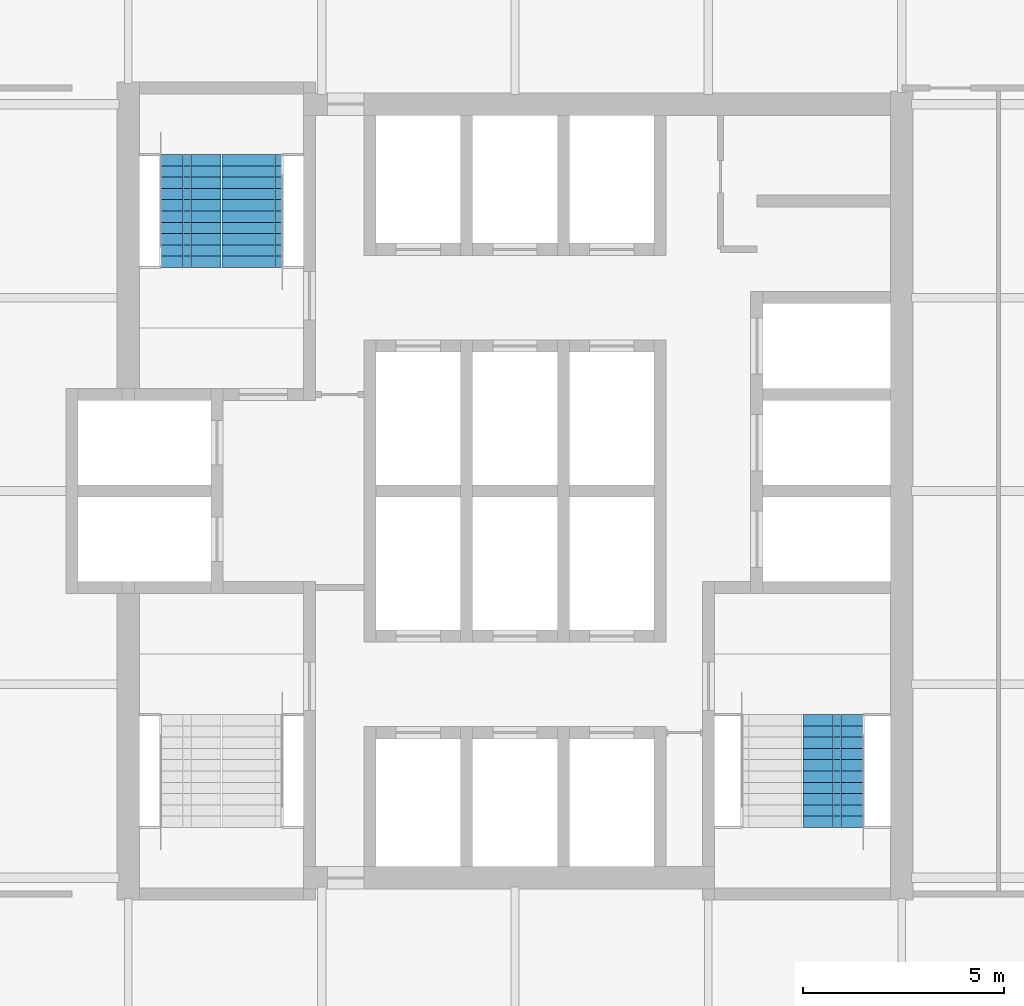
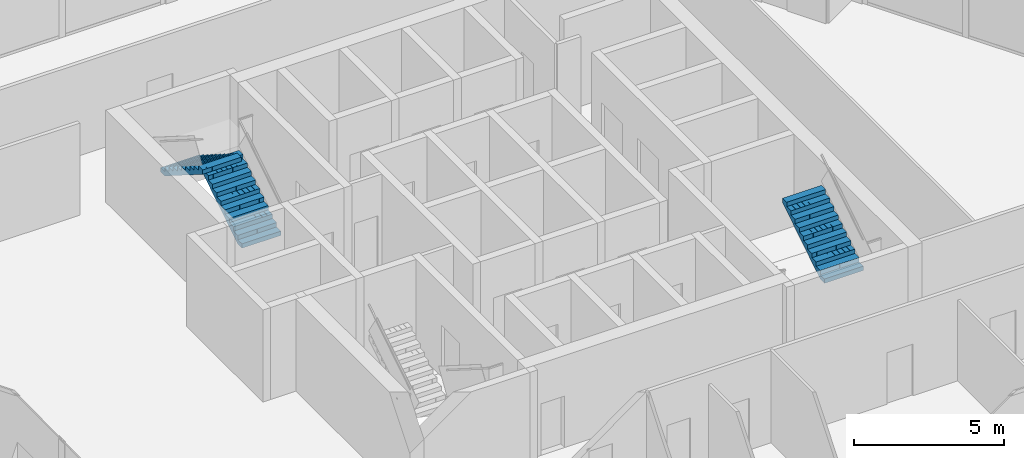
# One storey, part 11 of 13: 3 stair flights, 2 elements without a shape of their own.
"""IFC4 building model written with IfcOpenShell, lengths in metres."""

from ifc_helpers import new_model, si_unit, direction, frame, origin, place, context, subcontext, project, spatial, polyline, outline, extrude, material, type_object, element, aggregate, save


model = new_model("IFC4")

# Units and contexts
model_context = context("Model", 3, precision=1e-05, world=origin(), true_north=direction((0.0, 1.0)))
body_context = subcontext(model_context, "Body", "Model", "MODEL_VIEW")
ifc_project = project(units=[si_unit("LENGTHUNIT", "METRE"), si_unit("AREAUNIT", "SQUARE_METRE"), si_unit("VOLUMEUNIT", "CUBIC_METRE"), si_unit("PLANEANGLEUNIT", "RADIAN"), si_unit("MASSUNIT", "GRAM", prefix="KILO")], contexts=[model_context])

# Site, building, storey
site_placement = place(None, origin())
site = spatial("IfcSite", under=ifc_project, at=site_placement, CompositionType="ELEMENT")
building_placement = place(site_placement, origin())
building = spatial("IfcBuilding", under=site, at=building_placement, Name="Kolab Exchange Tower", CompositionType="ELEMENT")
storey_placement = place(building_placement, frame((0.0, 0.0, 273.5)))
storey = spatial("IfcBuildingStorey", under=building, at=storey_placement, Name="L61", CompositionType="ELEMENT", Elevation=273.5)

# Stair, stair flights
ifc_material = material(Name="Concrete C50/60", Category="concrete")
stair_type_1 = type_object("IfcStairType", Name="STAIR ST1 RISER 177.3", PredefinedType="HALF_TURN_STAIR", material=ifc_material)
stair_1_placement = place(storey_placement, origin())
stair_1 = element("IfcStair", 1, at=stair_1_placement, inside=storey, type_object=stair_type_1, Name="Stair 1", PredefinedType="HALF_TURN_STAIR")
stair_flight_type = type_object("IfcStairFlightType", Name="STAIR FLIGHT 1500 RISER 177.3", PredefinedType="STRAIGHT", material=ifc_material)
stair_flight_1_placement = place(storey_placement, frame((-6.527587890625, 5.550048828125, 0.0), z_axis=(0.0, 0.0, 1.0), x_axis=(0.0, 1.0, 0.0)))
stair_flight_1 = element("IfcStairFlight", 2, at=stair_flight_1_placement, type_object=stair_flight_type, Name="ST1 flight 1", NumberOfRisers=11, NumberOfTreads=10, PredefinedType="STRAIGHT", RiserHeight=0.177272727, TreadLength=0.28, context=body_context, shape_type="SweptSolid", body=[
    extrude(outline(polyline([(0.0, 0.0), (0.0, 0.17724609375), (0.280029296875, 0.17724609375), (0.280029296875, 0.3544921875), (0.56005859375, 0.3544921875), (0.56005859375, 0.53173828125), (0.840087890625, 0.53173828125), (0.840087890625, 0.708984375), (1.1201171875, 0.708984375), (1.1201171875, 0.886474609375), (1.39990234375, 0.886474609375), (1.39990234375, 1.063720703125), (1.679931640625, 1.063720703125), (1.679931640625, 1.240966796875), (1.9599609375, 1.240966796875), (1.9599609375, 1.418212890625), (2.239990234375, 1.418212890625), (2.239990234375, 1.595458984375), (2.52001953125, 1.595458984375), (2.52001953125, 1.772705078125), (2.800048828125, 1.772705078125), (2.800048828125, 1.949951171875), (2.800048828125, 1.59521484375), (0.2802734375, 0.0), (0.0, 0.0)])), frame((0.0, 0.75, 0.0), z_axis=(0.0, -1.0, 0.0), x_axis=(1.0, 0.0, 0.0)), (0.0, 0.0, 1.0), 0.185791015625),
    extrude(outline(polyline([(0.0, 0.0), (0.0, 0.17724609375), (0.280029296875, 0.17724609375), (0.280029296875, 0.3544921875), (0.56005859375, 0.3544921875), (0.56005859375, 0.53173828125), (0.840087890625, 0.53173828125), (0.840087890625, 0.708984375), (1.1201171875, 0.708984375), (1.1201171875, 0.886474609375), (1.39990234375, 0.886474609375), (1.39990234375, 1.063720703125), (1.679931640625, 1.063720703125), (1.679931640625, 1.240966796875), (1.9599609375, 1.240966796875), (1.9599609375, 1.418212890625), (2.239990234375, 1.418212890625), (2.239990234375, 1.595458984375), (2.52001953125, 1.595458984375), (2.52001953125, 1.772705078125), (2.800048828125, 1.772705078125), (2.800048828125, 1.949951171875), (2.800048828125, 1.59521484375), (0.2802734375, 0.0), (0.0, 0.0)])), frame((0.0, 0.562255859375, 0.0), z_axis=(0.0, -1.0, 0.0), x_axis=(1.0, 0.0, 0.0)), (0.0, 0.0, 1.0), 0.185791015625),
    extrude(outline(polyline([(0.0, 0.0), (0.0, 0.17724609375), (0.280029296875, 0.17724609375), (0.280029296875, 0.3544921875), (0.56005859375, 0.3544921875), (0.56005859375, 0.53173828125), (0.840087890625, 0.53173828125), (0.840087890625, 0.708984375), (1.1201171875, 0.708984375), (1.1201171875, 0.886474609375), (1.39990234375, 0.886474609375), (1.39990234375, 1.063720703125), (1.679931640625, 1.063720703125), (1.679931640625, 1.240966796875), (1.9599609375, 1.240966796875), (1.9599609375, 1.418212890625), (2.239990234375, 1.418212890625), (2.239990234375, 1.595458984375), (2.52001953125, 1.595458984375), (2.52001953125, 1.772705078125), (2.800048828125, 1.772705078125), (2.800048828125, 1.949951171875), (2.800048828125, 1.59521484375), (0.2802734375, 0.0), (0.0, 0.0)])), frame((0.0, 0.37451171875, 0.0), z_axis=(0.0, -1.0, 0.0), x_axis=(1.0, 0.0, 0.0)), (0.0, 0.0, 1.0), 0.185791015625),
    extrude(outline(polyline([(0.0, 0.0), (0.0, 0.17724609375), (0.280029296875, 0.17724609375), (0.280029296875, 0.3544921875), (0.56005859375, 0.3544921875), (0.56005859375, 0.53173828125), (0.840087890625, 0.53173828125), (0.840087890625, 0.708984375), (1.1201171875, 0.708984375), (1.1201171875, 0.886474609375), (1.39990234375, 0.886474609375), (1.39990234375, 1.063720703125), (1.679931640625, 1.063720703125), (1.679931640625, 1.240966796875), (1.9599609375, 1.240966796875), (1.9599609375, 1.418212890625), (2.239990234375, 1.418212890625), (2.239990234375, 1.595458984375), (2.52001953125, 1.595458984375), (2.52001953125, 1.772705078125), (2.800048828125, 1.772705078125), (2.800048828125, 1.949951171875), (2.800048828125, 1.59521484375), (0.2802734375, 0.0), (0.0, 0.0)])), frame((0.0, 0.186767578125, 0.0), z_axis=(0.0, -1.0, 0.0), x_axis=(1.0, 0.0, 0.0)), (0.0, 0.0, 1.0), 0.185791015625),
    extrude(outline(polyline([(0.0, 0.0), (0.0, 0.17724609375), (0.280029296875, 0.17724609375), (0.280029296875, 0.3544921875), (0.56005859375, 0.3544921875), (0.56005859375, 0.53173828125), (0.840087890625, 0.53173828125), (0.840087890625, 0.708984375), (1.1201171875, 0.708984375), (1.1201171875, 0.886474609375), (1.39990234375, 0.886474609375), (1.39990234375, 1.063720703125), (1.679931640625, 1.063720703125), (1.679931640625, 1.240966796875), (1.9599609375, 1.240966796875), (1.9599609375, 1.418212890625), (2.239990234375, 1.418212890625), (2.239990234375, 1.595458984375), (2.52001953125, 1.595458984375), (2.52001953125, 1.772705078125), (2.800048828125, 1.772705078125), (2.800048828125, 1.949951171875), (2.800048828125, 1.59521484375), (0.2802734375, 0.0), (0.0, 0.0)])), frame((0.0, -0.0009765625, 0.0), z_axis=(0.0, -1.0, 0.0), x_axis=(1.0, 0.0, 0.0)), (0.0, 0.0, 1.0), 0.185791015625),
    extrude(outline(polyline([(0.0, 0.0), (0.0, 0.17724609375), (0.280029296875, 0.17724609375), (0.280029296875, 0.3544921875), (0.56005859375, 0.3544921875), (0.56005859375, 0.53173828125), (0.840087890625, 0.53173828125), (0.840087890625, 0.708984375), (1.1201171875, 0.708984375), (1.1201171875, 0.886474609375), (1.39990234375, 0.886474609375), (1.39990234375, 1.063720703125), (1.679931640625, 1.063720703125), (1.679931640625, 1.240966796875), (1.9599609375, 1.240966796875), (1.9599609375, 1.418212890625), (2.239990234375, 1.418212890625), (2.239990234375, 1.595458984375), (2.52001953125, 1.595458984375), (2.52001953125, 1.772705078125), (2.800048828125, 1.772705078125), (2.800048828125, 1.949951171875), (2.800048828125, 1.59521484375), (0.2802734375, 0.0), (0.0, 0.0)])), frame((0.0, -0.188720703125, 0.0), z_axis=(0.0, -1.0, 0.0), x_axis=(1.0, 0.0, 0.0)), (0.0, 0.0, 1.0), 0.185791015625),
    extrude(outline(polyline([(0.0, 0.0), (0.0, 0.17724609375), (0.280029296875, 0.17724609375), (0.280029296875, 0.3544921875), (0.56005859375, 0.3544921875), (0.56005859375, 0.53173828125), (0.840087890625, 0.53173828125), (0.840087890625, 0.708984375), (1.1201171875, 0.708984375), (1.1201171875, 0.886474609375), (1.39990234375, 0.886474609375), (1.39990234375, 1.063720703125), (1.679931640625, 1.063720703125), (1.679931640625, 1.240966796875), (1.9599609375, 1.240966796875), (1.9599609375, 1.418212890625), (2.239990234375, 1.418212890625), (2.239990234375, 1.595458984375), (2.52001953125, 1.595458984375), (2.52001953125, 1.772705078125), (2.800048828125, 1.772705078125), (2.800048828125, 1.949951171875), (2.800048828125, 1.59521484375), (0.2802734375, 0.0), (0.0, 0.0)])), frame((0.0, -0.37646484375, 0.0), z_axis=(0.0, -1.0, 0.0), x_axis=(1.0, 0.0, 0.0)), (0.0, 0.0, 1.0), 0.185791015625),
    extrude(outline(polyline([(0.0, 0.0), (0.0, 0.17724609375), (0.280029296875, 0.17724609375), (0.280029296875, 0.3544921875), (0.56005859375, 0.3544921875), (0.56005859375, 0.53173828125), (0.840087890625, 0.53173828125), (0.840087890625, 0.708984375), (1.1201171875, 0.708984375), (1.1201171875, 0.886474609375), (1.39990234375, 0.886474609375), (1.39990234375, 1.063720703125), (1.679931640625, 1.063720703125), (1.679931640625, 1.240966796875), (1.9599609375, 1.240966796875), (1.9599609375, 1.418212890625), (2.239990234375, 1.418212890625), (2.239990234375, 1.595458984375), (2.52001953125, 1.595458984375), (2.52001953125, 1.772705078125), (2.800048828125, 1.772705078125), (2.800048828125, 1.949951171875), (2.800048828125, 1.59521484375), (0.2802734375, 0.0), (0.0, 0.0)])), frame((0.0, -0.564208984375, 0.0), z_axis=(0.0, -1.0, 0.0), x_axis=(1.0, 0.0, 0.0)), (0.0, 0.0, 1.0), 0.185791015625),
])
stair_flight_2_placement = place(storey_placement, frame((-8.047607421875, 8.35009765625, 1.949951171875), z_axis=(0.0, 0.0, 1.0), x_axis=(0.0, -1.0, 0.0)))
stair_flight_2 = element("IfcStairFlight", 3, at=stair_flight_2_placement, type_object=stair_flight_type, Name="ST1 flight 2", NumberOfRisers=11, NumberOfTreads=10, PredefinedType="STRAIGHT", RiserHeight=0.177272727, TreadLength=0.28, context=body_context, shape_type="SweptSolid", body=[
    extrude(outline(polyline([(0.0, 0.0), (0.0, 0.17724609375), (0.280029296875, 0.17724609375), (0.280029296875, 0.3544921875), (0.56005859375, 0.3544921875), (0.56005859375, 0.53173828125), (0.840087890625, 0.53173828125), (0.840087890625, 0.708984375), (1.1201171875, 0.708984375), (1.1201171875, 0.886474609375), (1.39990234375, 0.886474609375), (1.39990234375, 1.063720703125), (1.679931640625, 1.063720703125), (1.679931640625, 1.240966796875), (1.9599609375, 1.240966796875), (1.9599609375, 1.418212890625), (2.239990234375, 1.418212890625), (2.239990234375, 1.595458984375), (2.52001953125, 1.595458984375), (2.52001953125, 1.772705078125), (2.800048828125, 1.772705078125), (2.800048828125, 1.949951171875), (2.800048828125, 1.59521484375), (0.2802734375, 0.0), (0.0, 0.0)])), frame((0.0, 0.75, 0.0), z_axis=(0.0, -1.0, 0.0), x_axis=(1.0, 0.0, 0.0)), (0.0, 0.0, 1.0), 0.185791015625),
    extrude(outline(polyline([(0.0, 0.0), (0.0, 0.17724609375), (0.280029296875, 0.17724609375), (0.280029296875, 0.3544921875), (0.56005859375, 0.3544921875), (0.56005859375, 0.53173828125), (0.840087890625, 0.53173828125), (0.840087890625, 0.708984375), (1.1201171875, 0.708984375), (1.1201171875, 0.886474609375), (1.39990234375, 0.886474609375), (1.39990234375, 1.063720703125), (1.679931640625, 1.063720703125), (1.679931640625, 1.240966796875), (1.9599609375, 1.240966796875), (1.9599609375, 1.418212890625), (2.239990234375, 1.418212890625), (2.239990234375, 1.595458984375), (2.52001953125, 1.595458984375), (2.52001953125, 1.772705078125), (2.800048828125, 1.772705078125), (2.800048828125, 1.949951171875), (2.800048828125, 1.59521484375), (0.2802734375, 0.0), (0.0, 0.0)])), frame((0.0, 0.562255859375, 0.0), z_axis=(0.0, -1.0, 0.0), x_axis=(1.0, 0.0, 0.0)), (0.0, 0.0, 1.0), 0.185791015625),
    extrude(outline(polyline([(0.0, 0.0), (0.0, 0.17724609375), (0.280029296875, 0.17724609375), (0.280029296875, 0.3544921875), (0.56005859375, 0.3544921875), (0.56005859375, 0.53173828125), (0.840087890625, 0.53173828125), (0.840087890625, 0.708984375), (1.1201171875, 0.708984375), (1.1201171875, 0.886474609375), (1.39990234375, 0.886474609375), (1.39990234375, 1.063720703125), (1.679931640625, 1.063720703125), (1.679931640625, 1.240966796875), (1.9599609375, 1.240966796875), (1.9599609375, 1.418212890625), (2.239990234375, 1.418212890625), (2.239990234375, 1.595458984375), (2.52001953125, 1.595458984375), (2.52001953125, 1.772705078125), (2.800048828125, 1.772705078125), (2.800048828125, 1.949951171875), (2.800048828125, 1.59521484375), (0.2802734375, 0.0), (0.0, 0.0)])), frame((0.0, 0.37451171875, 0.0), z_axis=(0.0, -1.0, 0.0), x_axis=(1.0, 0.0, 0.0)), (0.0, 0.0, 1.0), 0.185791015625),
    extrude(outline(polyline([(0.0, 0.0), (0.0, 0.17724609375), (0.280029296875, 0.17724609375), (0.280029296875, 0.3544921875), (0.56005859375, 0.3544921875), (0.56005859375, 0.53173828125), (0.840087890625, 0.53173828125), (0.840087890625, 0.708984375), (1.1201171875, 0.708984375), (1.1201171875, 0.886474609375), (1.39990234375, 0.886474609375), (1.39990234375, 1.063720703125), (1.679931640625, 1.063720703125), (1.679931640625, 1.240966796875), (1.9599609375, 1.240966796875), (1.9599609375, 1.418212890625), (2.239990234375, 1.418212890625), (2.239990234375, 1.595458984375), (2.52001953125, 1.595458984375), (2.52001953125, 1.772705078125), (2.800048828125, 1.772705078125), (2.800048828125, 1.949951171875), (2.800048828125, 1.59521484375), (0.2802734375, 0.0), (0.0, 0.0)])), frame((0.0, 0.186767578125, 0.0), z_axis=(0.0, -1.0, 0.0), x_axis=(1.0, 0.0, 0.0)), (0.0, 0.0, 1.0), 0.185791015625),
    extrude(outline(polyline([(0.0, 0.0), (0.0, 0.17724609375), (0.280029296875, 0.17724609375), (0.280029296875, 0.3544921875), (0.56005859375, 0.3544921875), (0.56005859375, 0.53173828125), (0.840087890625, 0.53173828125), (0.840087890625, 0.708984375), (1.1201171875, 0.708984375), (1.1201171875, 0.886474609375), (1.39990234375, 0.886474609375), (1.39990234375, 1.063720703125), (1.679931640625, 1.063720703125), (1.679931640625, 1.240966796875), (1.9599609375, 1.240966796875), (1.9599609375, 1.418212890625), (2.239990234375, 1.418212890625), (2.239990234375, 1.595458984375), (2.52001953125, 1.595458984375), (2.52001953125, 1.772705078125), (2.800048828125, 1.772705078125), (2.800048828125, 1.949951171875), (2.800048828125, 1.59521484375), (0.2802734375, 0.0), (0.0, 0.0)])), frame((0.0, -0.0009765625, 0.0), z_axis=(0.0, -1.0, 0.0), x_axis=(1.0, 0.0, 0.0)), (0.0, 0.0, 1.0), 0.185791015625),
    extrude(outline(polyline([(0.0, 0.0), (0.0, 0.17724609375), (0.280029296875, 0.17724609375), (0.280029296875, 0.3544921875), (0.56005859375, 0.3544921875), (0.56005859375, 0.53173828125), (0.840087890625, 0.53173828125), (0.840087890625, 0.708984375), (1.1201171875, 0.708984375), (1.1201171875, 0.886474609375), (1.39990234375, 0.886474609375), (1.39990234375, 1.063720703125), (1.679931640625, 1.063720703125), (1.679931640625, 1.240966796875), (1.9599609375, 1.240966796875), (1.9599609375, 1.418212890625), (2.239990234375, 1.418212890625), (2.239990234375, 1.595458984375), (2.52001953125, 1.595458984375), (2.52001953125, 1.772705078125), (2.800048828125, 1.772705078125), (2.800048828125, 1.949951171875), (2.800048828125, 1.59521484375), (0.2802734375, 0.0), (0.0, 0.0)])), frame((0.0, -0.188720703125, 0.0), z_axis=(0.0, -1.0, 0.0), x_axis=(1.0, 0.0, 0.0)), (0.0, 0.0, 1.0), 0.185791015625),
    extrude(outline(polyline([(0.0, 0.0), (0.0, 0.17724609375), (0.280029296875, 0.17724609375), (0.280029296875, 0.3544921875), (0.56005859375, 0.3544921875), (0.56005859375, 0.53173828125), (0.840087890625, 0.53173828125), (0.840087890625, 0.708984375), (1.1201171875, 0.708984375), (1.1201171875, 0.886474609375), (1.39990234375, 0.886474609375), (1.39990234375, 1.063720703125), (1.679931640625, 1.063720703125), (1.679931640625, 1.240966796875), (1.9599609375, 1.240966796875), (1.9599609375, 1.418212890625), (2.239990234375, 1.418212890625), (2.239990234375, 1.595458984375), (2.52001953125, 1.595458984375), (2.52001953125, 1.772705078125), (2.800048828125, 1.772705078125), (2.800048828125, 1.949951171875), (2.800048828125, 1.59521484375), (0.2802734375, 0.0), (0.0, 0.0)])), frame((0.0, -0.37646484375, 0.0), z_axis=(0.0, -1.0, 0.0), x_axis=(1.0, 0.0, 0.0)), (0.0, 0.0, 1.0), 0.185791015625),
    extrude(outline(polyline([(0.0, 0.0), (0.0, 0.17724609375), (0.280029296875, 0.17724609375), (0.280029296875, 0.3544921875), (0.56005859375, 0.3544921875), (0.56005859375, 0.53173828125), (0.840087890625, 0.53173828125), (0.840087890625, 0.708984375), (1.1201171875, 0.708984375), (1.1201171875, 0.886474609375), (1.39990234375, 0.886474609375), (1.39990234375, 1.063720703125), (1.679931640625, 1.063720703125), (1.679931640625, 1.240966796875), (1.9599609375, 1.240966796875), (1.9599609375, 1.418212890625), (2.239990234375, 1.418212890625), (2.239990234375, 1.595458984375), (2.52001953125, 1.595458984375), (2.52001953125, 1.772705078125), (2.800048828125, 1.772705078125), (2.800048828125, 1.949951171875), (2.800048828125, 1.59521484375), (0.2802734375, 0.0), (0.0, 0.0)])), frame((0.0, -0.564208984375, 0.0), z_axis=(0.0, -1.0, 0.0), x_axis=(1.0, 0.0, 0.0)), (0.0, 0.0, 1.0), 0.185791015625),
])
aggregate(stair_1, [stair_flight_1, stair_flight_2])

# Stair, stair flight
stair_type_2 = type_object("IfcStairType", Name="STAIR ST2 RISER 177.3", PredefinedType="HALF_TURN_STAIR", material=ifc_material)
stair_2_placement = place(storey_placement, origin())
stair_2 = element("IfcStair", 4, at=stair_2_placement, inside=storey, type_object=stair_type_2, Name="Stair 2", PredefinedType="HALF_TURN_STAIR")
stair_flight_3_placement = place(storey_placement, frame((7.8974609375, -8.35009765625, 1.949951171875), z_axis=(0.0, 0.0, 1.0), x_axis=(0.0, 1.0, 0.0)))
stair_flight_3 = element("IfcStairFlight", 5, at=stair_flight_3_placement, type_object=stair_flight_type, Name="ST2 flight 2", NumberOfRisers=11, NumberOfTreads=10, PredefinedType="STRAIGHT", RiserHeight=0.177272727, TreadLength=0.28, context=body_context, shape_type="SweptSolid", body=[
    extrude(outline(polyline([(0.0, 0.0), (0.0, 0.17724609375), (0.280029296875, 0.17724609375), (0.280029296875, 0.3544921875), (0.56005859375, 0.3544921875), (0.56005859375, 0.53173828125), (0.840087890625, 0.53173828125), (0.840087890625, 0.708984375), (1.1201171875, 0.708984375), (1.1201171875, 0.886474609375), (1.39990234375, 0.886474609375), (1.39990234375, 1.063720703125), (1.679931640625, 1.063720703125), (1.679931640625, 1.240966796875), (1.9599609375, 1.240966796875), (1.9599609375, 1.418212890625), (2.239990234375, 1.418212890625), (2.239990234375, 1.595458984375), (2.52001953125, 1.595458984375), (2.52001953125, 1.772705078125), (2.800048828125, 1.772705078125), (2.800048828125, 1.949951171875), (2.800048828125, 1.59521484375), (0.2802734375, 0.0), (0.0, 0.0)])), frame((0.0, 0.75, 0.0), z_axis=(0.0, -1.0, 0.0), x_axis=(1.0, 0.0, 0.0)), (0.0, 0.0, 1.0), 0.185791015625),
    extrude(outline(polyline([(0.0, 0.0), (0.0, 0.17724609375), (0.280029296875, 0.17724609375), (0.280029296875, 0.3544921875), (0.56005859375, 0.3544921875), (0.56005859375, 0.53173828125), (0.840087890625, 0.53173828125), (0.840087890625, 0.708984375), (1.1201171875, 0.708984375), (1.1201171875, 0.886474609375), (1.39990234375, 0.886474609375), (1.39990234375, 1.063720703125), (1.679931640625, 1.063720703125), (1.679931640625, 1.240966796875), (1.9599609375, 1.240966796875), (1.9599609375, 1.418212890625), (2.239990234375, 1.418212890625), (2.239990234375, 1.595458984375), (2.52001953125, 1.595458984375), (2.52001953125, 1.772705078125), (2.800048828125, 1.772705078125), (2.800048828125, 1.949951171875), (2.800048828125, 1.59521484375), (0.2802734375, 0.0), (0.0, 0.0)])), frame((0.0, 0.562255859375, 0.0), z_axis=(0.0, -1.0, 0.0), x_axis=(1.0, 0.0, 0.0)), (0.0, 0.0, 1.0), 0.185791015625),
    extrude(outline(polyline([(0.0, 0.0), (0.0, 0.17724609375), (0.280029296875, 0.17724609375), (0.280029296875, 0.3544921875), (0.56005859375, 0.3544921875), (0.56005859375, 0.53173828125), (0.840087890625, 0.53173828125), (0.840087890625, 0.708984375), (1.1201171875, 0.708984375), (1.1201171875, 0.886474609375), (1.39990234375, 0.886474609375), (1.39990234375, 1.063720703125), (1.679931640625, 1.063720703125), (1.679931640625, 1.240966796875), (1.9599609375, 1.240966796875), (1.9599609375, 1.418212890625), (2.239990234375, 1.418212890625), (2.239990234375, 1.595458984375), (2.52001953125, 1.595458984375), (2.52001953125, 1.772705078125), (2.800048828125, 1.772705078125), (2.800048828125, 1.949951171875), (2.800048828125, 1.59521484375), (0.2802734375, 0.0), (0.0, 0.0)])), frame((0.0, 0.37451171875, 0.0), z_axis=(0.0, -1.0, 0.0), x_axis=(1.0, 0.0, 0.0)), (0.0, 0.0, 1.0), 0.185791015625),
    extrude(outline(polyline([(0.0, 0.0), (0.0, 0.17724609375), (0.280029296875, 0.17724609375), (0.280029296875, 0.3544921875), (0.56005859375, 0.3544921875), (0.56005859375, 0.53173828125), (0.840087890625, 0.53173828125), (0.840087890625, 0.708984375), (1.1201171875, 0.708984375), (1.1201171875, 0.886474609375), (1.39990234375, 0.886474609375), (1.39990234375, 1.063720703125), (1.679931640625, 1.063720703125), (1.679931640625, 1.240966796875), (1.9599609375, 1.240966796875), (1.9599609375, 1.418212890625), (2.239990234375, 1.418212890625), (2.239990234375, 1.595458984375), (2.52001953125, 1.595458984375), (2.52001953125, 1.772705078125), (2.800048828125, 1.772705078125), (2.800048828125, 1.949951171875), (2.800048828125, 1.59521484375), (0.2802734375, 0.0), (0.0, 0.0)])), frame((0.0, 0.186767578125, 0.0), z_axis=(0.0, -1.0, 0.0), x_axis=(1.0, 0.0, 0.0)), (0.0, 0.0, 1.0), 0.185791015625),
    extrude(outline(polyline([(0.0, 0.0), (0.0, 0.17724609375), (0.280029296875, 0.17724609375), (0.280029296875, 0.3544921875), (0.56005859375, 0.3544921875), (0.56005859375, 0.53173828125), (0.840087890625, 0.53173828125), (0.840087890625, 0.708984375), (1.1201171875, 0.708984375), (1.1201171875, 0.886474609375), (1.39990234375, 0.886474609375), (1.39990234375, 1.063720703125), (1.679931640625, 1.063720703125), (1.679931640625, 1.240966796875), (1.9599609375, 1.240966796875), (1.9599609375, 1.418212890625), (2.239990234375, 1.418212890625), (2.239990234375, 1.595458984375), (2.52001953125, 1.595458984375), (2.52001953125, 1.772705078125), (2.800048828125, 1.772705078125), (2.800048828125, 1.949951171875), (2.800048828125, 1.59521484375), (0.2802734375, 0.0), (0.0, 0.0)])), frame((0.0, -0.0009765625, 0.0), z_axis=(0.0, -1.0, 0.0), x_axis=(1.0, 0.0, 0.0)), (0.0, 0.0, 1.0), 0.185791015625),
    extrude(outline(polyline([(0.0, 0.0), (0.0, 0.17724609375), (0.280029296875, 0.17724609375), (0.280029296875, 0.3544921875), (0.56005859375, 0.3544921875), (0.56005859375, 0.53173828125), (0.840087890625, 0.53173828125), (0.840087890625, 0.708984375), (1.1201171875, 0.708984375), (1.1201171875, 0.886474609375), (1.39990234375, 0.886474609375), (1.39990234375, 1.063720703125), (1.679931640625, 1.063720703125), (1.679931640625, 1.240966796875), (1.9599609375, 1.240966796875), (1.9599609375, 1.418212890625), (2.239990234375, 1.418212890625), (2.239990234375, 1.595458984375), (2.52001953125, 1.595458984375), (2.52001953125, 1.772705078125), (2.800048828125, 1.772705078125), (2.800048828125, 1.949951171875), (2.800048828125, 1.59521484375), (0.2802734375, 0.0), (0.0, 0.0)])), frame((0.0, -0.188720703125, 0.0), z_axis=(0.0, -1.0, 0.0), x_axis=(1.0, 0.0, 0.0)), (0.0, 0.0, 1.0), 0.185791015625),
    extrude(outline(polyline([(0.0, 0.0), (0.0, 0.17724609375), (0.280029296875, 0.17724609375), (0.280029296875, 0.3544921875), (0.56005859375, 0.3544921875), (0.56005859375, 0.53173828125), (0.840087890625, 0.53173828125), (0.840087890625, 0.708984375), (1.1201171875, 0.708984375), (1.1201171875, 0.886474609375), (1.39990234375, 0.886474609375), (1.39990234375, 1.063720703125), (1.679931640625, 1.063720703125), (1.679931640625, 1.240966796875), (1.9599609375, 1.240966796875), (1.9599609375, 1.418212890625), (2.239990234375, 1.418212890625), (2.239990234375, 1.595458984375), (2.52001953125, 1.595458984375), (2.52001953125, 1.772705078125), (2.800048828125, 1.772705078125), (2.800048828125, 1.949951171875), (2.800048828125, 1.59521484375), (0.2802734375, 0.0), (0.0, 0.0)])), frame((0.0, -0.37646484375, 0.0), z_axis=(0.0, -1.0, 0.0), x_axis=(1.0, 0.0, 0.0)), (0.0, 0.0, 1.0), 0.185791015625),
    extrude(outline(polyline([(0.0, 0.0), (0.0, 0.17724609375), (0.280029296875, 0.17724609375), (0.280029296875, 0.3544921875), (0.56005859375, 0.3544921875), (0.56005859375, 0.53173828125), (0.840087890625, 0.53173828125), (0.840087890625, 0.708984375), (1.1201171875, 0.708984375), (1.1201171875, 0.886474609375), (1.39990234375, 0.886474609375), (1.39990234375, 1.063720703125), (1.679931640625, 1.063720703125), (1.679931640625, 1.240966796875), (1.9599609375, 1.240966796875), (1.9599609375, 1.418212890625), (2.239990234375, 1.418212890625), (2.239990234375, 1.595458984375), (2.52001953125, 1.595458984375), (2.52001953125, 1.772705078125), (2.800048828125, 1.772705078125), (2.800048828125, 1.949951171875), (2.800048828125, 1.59521484375), (0.2802734375, 0.0), (0.0, 0.0)])), frame((0.0, -0.564208984375, 0.0), z_axis=(0.0, -1.0, 0.0), x_axis=(1.0, 0.0, 0.0)), (0.0, 0.0, 1.0), 0.185791015625),
])
aggregate(stair_2, [stair_flight_3])

save(model, "model.ifc")
